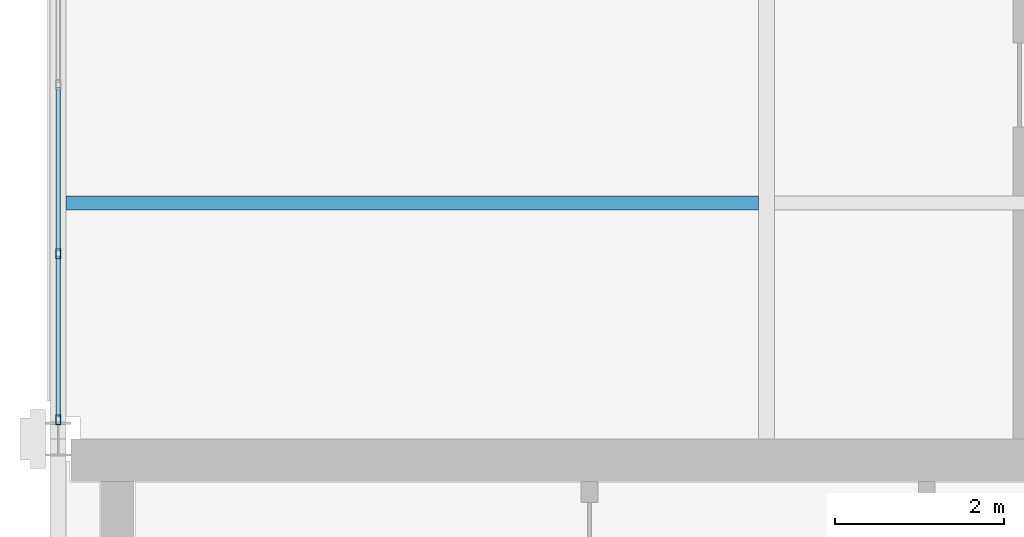
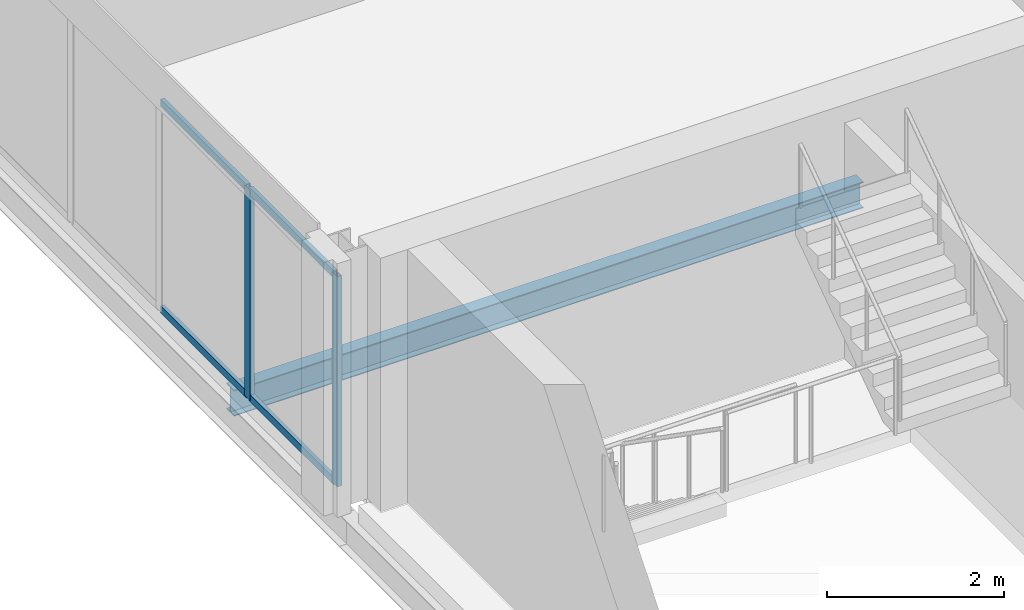
# One storey, part 4 of 32: 6 members, 1 beam, 1 element without a shape of its own.
"""IFC4 building model written with IfcOpenShell, lengths in metres."""

from ifc_helpers import new_model, si_unit, direction, frame, origin, origin_2d, place, context, subcontext, project, spatial, hollow_rectangle, i_section, extrude, material, material_profile, profile_set, type_object, element, aggregate, save


model = new_model("IFC4")

# Units and contexts
model_context = context("Model", 3, precision=1e-05, world=origin(), true_north=direction((0.0, 1.0)))
body_context = subcontext(model_context, "Body", "Model", "MODEL_VIEW")
ifc_project = project(units=[si_unit("LENGTHUNIT", "METRE"), si_unit("AREAUNIT", "SQUARE_METRE"), si_unit("VOLUMEUNIT", "CUBIC_METRE"), si_unit("PLANEANGLEUNIT", "RADIAN"), si_unit("MASSUNIT", "GRAM", prefix="KILO")], contexts=[model_context])

# Site, building, storey
site_placement = place(None, origin())
site = spatial("IfcSite", under=ifc_project, at=site_placement, CompositionType="ELEMENT")
building_placement = place(site_placement, origin())
building = spatial("IfcBuilding", under=site, at=building_placement, Name="Catenary Quay Ferry Terminal", CompositionType="ELEMENT")
storey_placement = place(building_placement, frame((0.0, 0.0, 17.10009765625)))
storey = spatial("IfcBuildingStorey", under=building, at=storey_placement, Name="L03", CompositionType="ELEMENT", Elevation=17.10009765625)

# Beam
ifc_material_1 = material(Name="Steel S355", Category="steel")
ifc_material_profile_1 = material_profile(ifc_material_1, i_section(OverallWidth=0.169921875, OverallDepth=0.360107421875, WebThickness=0.008056640625, FlangeThickness=0.0126953125, at=origin_2d()), Name="IPE 360")
ifc_profile_set_1 = profile_set([ifc_material_profile_1], Name="Steel S355")
beam_type = type_object("IfcBeamType", Name="B7 IPE 360", PredefinedType="BEAM", material=ifc_profile_set_1)
beam_placement = place(storey_placement, frame((25.294921875, 170.800048828125, -0.43017578125), z_axis=(1.0, 0.0, 0.0), x_axis=(0.0, 1.0, 0.0)))
element("IfcBeam", 1, at=beam_placement, inside=storey, type_object=beam_type, Name="Beam B7-025", PredefinedType="BEAM", context=body_context, shape_type="SweptSolid", body=[
    extrude(i_section(OverallWidth=0.169921875, OverallDepth=0.360107421875, WebThickness=0.008056640625, FlangeThickness=0.0126953125, at=origin_2d()), origin(), (0.0, 0.0, 1.0), 8.2099609375),
])

# Curtain wall, members
ifc_material_2 = material(Name="Aluminium and glass", Category="aluminium")
curtain_wall_type = type_object("IfcCurtainWallType", Name="CWW3", PredefinedType="NOTDEFINED", material=ifc_material_2)
curtain_wall_placement = place(storey_placement, origin())
curtain_wall = element("IfcCurtainWall", 2, at=curtain_wall_placement, inside=storey, type_object=curtain_wall_type, Name="Wing curtain wall CW150", PredefinedType="NOTDEFINED")
ifc_material_3 = material(Name="Aluminium", Category="aluminium")
ifc_material_profile_2 = material_profile(ifc_material_3, hollow_rectangle(XDim=0.06005859375, YDim=0.1201171875, WallThickness=0.0048828125, at=origin_2d()), Name="MU4")
ifc_profile_set_2 = profile_set([ifc_material_profile_2], Name="Aluminium")
member_type_1 = type_object("IfcMemberType", Name="MU4", PredefinedType="MULLION", material=ifc_profile_set_2)
member_1_placement = place(storey_placement, frame((25.199951171875, 168.22998046875, 0.0), z_axis=(0.0, 0.0, 1.0), x_axis=(-1.0, 0.0, 0.0)))
member_1 = element("IfcMember", 3, at=member_1_placement, type_object=member_type_1, Name="CW150 mullion 1", PredefinedType="MULLION", context=body_context, shape_type="SweptSolid", body=[
    extrude(hollow_rectangle(XDim=0.06005859375, YDim=0.1201171875, WallThickness=0.0048828125, at=origin_2d()), origin(), (0.0, 0.0, 1.0), 2.89990234375),
])
member_2_placement = place(storey_placement, frame((25.199951171875, 170.199951171875, 0.0), z_axis=(0.0, 0.0, 1.0), x_axis=(-1.0, 0.0, 0.0)))
member_2 = element("IfcMember", 4, at=member_2_placement, type_object=member_type_1, Name="CW150 mullion 2", PredefinedType="MULLION", context=body_context, shape_type="SweptSolid", body=[
    extrude(hollow_rectangle(XDim=0.06005859375, YDim=0.1201171875, WallThickness=0.0048828125, at=origin_2d()), origin(), (0.0, 0.0, 1.0), 2.89990234375),
])
ifc_material_4 = material(Name="Aluminium", Category="aluminium")
ifc_material_profile_3 = material_profile(ifc_material_4, hollow_rectangle(XDim=0.050048828125, YDim=0.10009765625, WallThickness=0.00390625, at=origin_2d()), Name="TR4")
ifc_profile_set_3 = profile_set([ifc_material_profile_3], Name="Aluminium")
member_type_2 = type_object("IfcMemberType", Name="TR4", PredefinedType="USERDEFINED", material=ifc_profile_set_3)
member_3_placement = place(storey_placement, frame((25.199951171875, 168.260009765625, 0.02490234375), z_axis=(0.0, 1.0, 0.0), x_axis=(-1.0, 0.0, 0.0)))
member_3 = element("IfcMember", 5, at=member_3_placement, type_object=member_type_2, Name="CW150 transom 1.1", ObjectType="TRANSOM", PredefinedType="USERDEFINED", context=body_context, shape_type="SweptSolid", body=[
    extrude(hollow_rectangle(XDim=0.050048828125, YDim=0.10009765625, WallThickness=0.00390625, at=origin_2d()), origin(), (0.0, 0.0, 1.0), 1.909912109375),
])
member_4_placement = place(storey_placement, frame((25.199951171875, 168.260009765625, 2.875), z_axis=(0.0, 1.0, 0.0), x_axis=(-1.0, 0.0, 0.0)))
member_4 = element("IfcMember", 6, at=member_4_placement, type_object=member_type_2, Name="CW150 transom 1.2", ObjectType="TRANSOM", PredefinedType="USERDEFINED", context=body_context, shape_type="SweptSolid", body=[
    extrude(hollow_rectangle(XDim=0.050048828125, YDim=0.10009765625, WallThickness=0.00390625, at=origin_2d()), origin(), (0.0, 0.0, 1.0), 1.909912109375),
])
member_5_placement = place(storey_placement, frame((25.199951171875, 170.22998046875, 0.02490234375), z_axis=(0.0, 1.0, 0.0), x_axis=(-1.0, 0.0, 0.0)))
member_5 = element("IfcMember", 7, at=member_5_placement, type_object=member_type_2, Name="CW150 transom 2.1", ObjectType="TRANSOM", PredefinedType="USERDEFINED", context=body_context, shape_type="SweptSolid", body=[
    extrude(hollow_rectangle(XDim=0.050048828125, YDim=0.10009765625, WallThickness=0.00390625, at=origin_2d()), origin(), (0.0, 0.0, 1.0), 1.93994140625),
])
member_6_placement = place(storey_placement, frame((25.199951171875, 170.22998046875, 2.875), z_axis=(0.0, 1.0, 0.0), x_axis=(-1.0, 0.0, 0.0)))
member_6 = element("IfcMember", 8, at=member_6_placement, type_object=member_type_2, Name="CW150 transom 2.2", ObjectType="TRANSOM", PredefinedType="USERDEFINED", context=body_context, shape_type="SweptSolid", body=[
    extrude(hollow_rectangle(XDim=0.050048828125, YDim=0.10009765625, WallThickness=0.00390625, at=origin_2d()), origin(), (0.0, 0.0, 1.0), 1.93994140625),
])
aggregate(curtain_wall, [member_1, member_2, member_3, member_4, member_5, member_6])

save(model, "model.ifc")
